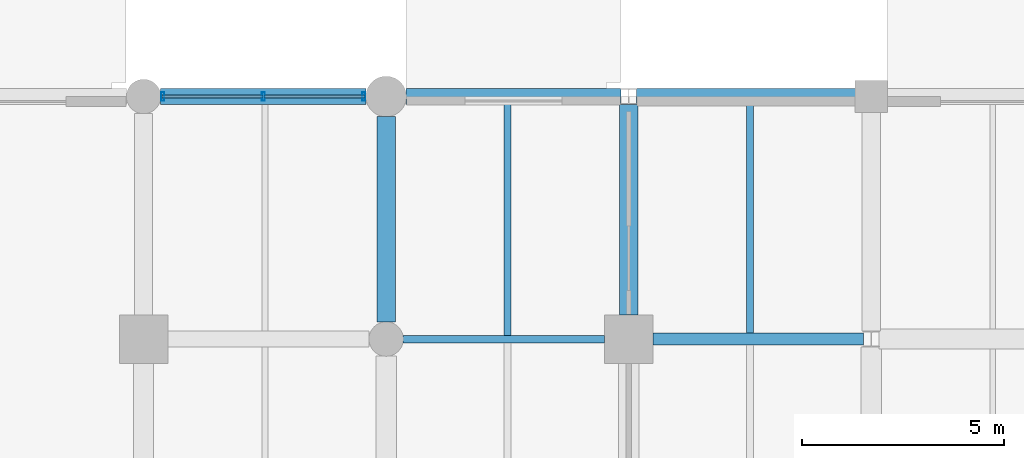
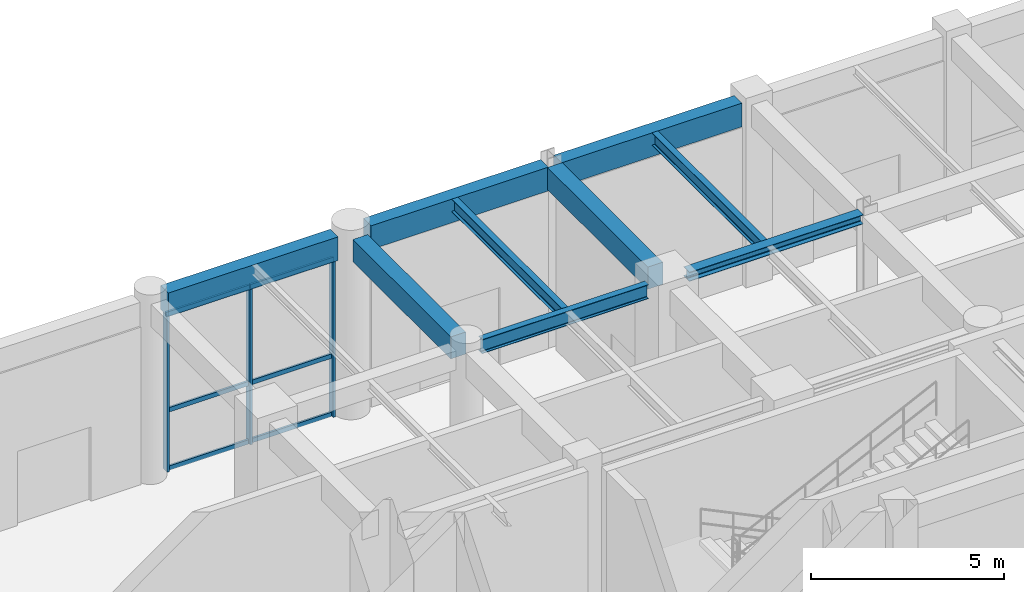
# One storey, part 49 of 106: 9 beams, 9 members, 1 element without a shape of its own.
"""IFC4 building model written with IfcOpenShell, lengths in metres."""

from ifc_helpers import new_model, si_unit, direction, frame, origin, origin_2d, place, context, subcontext, project, spatial, rectangle, hollow_rectangle, i_section, extrude, material, material_profile, profile_set, type_object, element, aggregate, save


model = new_model("IFC4")

# Units and contexts
model_context = context("Model", 3, precision=1e-05, world=origin(), true_north=direction((0.0, 1.0)))
body_context = subcontext(model_context, "Body", "Model", "MODEL_VIEW")
ifc_project = project(units=[si_unit("LENGTHUNIT", "METRE"), si_unit("AREAUNIT", "SQUARE_METRE"), si_unit("VOLUMEUNIT", "CUBIC_METRE"), si_unit("PLANEANGLEUNIT", "RADIAN"), si_unit("MASSUNIT", "GRAM", prefix="KILO"), si_unit("THERMODYNAMICTEMPERATUREUNIT", "KELVIN"), si_unit("POWERUNIT", "WATT")], contexts=[model_context])

# Site, building, storey
site_placement = place(None, origin())
site = spatial("IfcSite", under=ifc_project, at=site_placement, CompositionType="ELEMENT")
building_placement = place(site_placement, origin())
building = spatial("IfcBuilding", under=site, at=building_placement, Name="Phaisarnlok Congress Hotel", CompositionType="ELEMENT")
storey_placement = place(building_placement, origin())
storey = spatial("IfcBuildingStorey", under=building, at=storey_placement, Name="L00", CompositionType="ELEMENT", Elevation=0.0)

# Beams
ifc_material_1 = material(Name="Concrete C40/50", Category="concrete")
ifc_material_profile_1 = material_profile(ifc_material_1, rectangle(XDim=0.449951171875, YDim=0.699951171875, at=origin_2d()), Name="RC 450x700")
ifc_profile_set_1 = profile_set([ifc_material_profile_1], Name="Concrete C40/50")
beam_type_1 = type_object("IfcBeamType", Name="BM-RC-450x700", PredefinedType="BEAM", material=ifc_profile_set_1)
beam_1_placement = place(storey_placement, frame((102.0, 120.419921875, 5.389892578125), z_axis=(0.0, 1.0, 0.0), x_axis=(-1.0, 0.0, 0.0)))
element("IfcBeam", 1, at=beam_1_placement, inside=storey, type_object=beam_type_1, Name="Beam B-03", PredefinedType="BEAM", context=body_context, shape_type="SweptSolid", body=[
    extrude(rectangle(XDim=0.449951171875, YDim=0.699951171875, at=origin_2d()), origin(), (0.0, 0.0, 1.0), 5.0849609375),
])
beam_2_placement = place(storey_placement, frame((108.0, 120.594970703125, 5.389892578125), z_axis=(0.0, 1.0, 0.0), x_axis=(-1.0, 0.0, 0.0)))
element("IfcBeam", 2, at=beam_2_placement, inside=storey, type_object=beam_type_1, Name="Beam B-03", PredefinedType="BEAM", context=body_context, shape_type="SweptSolid", body=[
    extrude(rectangle(XDim=0.449951171875, YDim=0.699951171875, at=origin_2d()), origin(), (0.0, 0.0, 1.0), 5.21044921875),
])
ifc_material_2 = material(Name="Steel S355", Category="steel")
ifc_material_profile_2 = material_profile(ifc_material_2, i_section(OverallWidth=0.300048828125, OverallDepth=0.2900390625, WebThickness=0.008544921875, FlangeThickness=0.013916015625, FilletRadius=0.027099609375, at=origin_2d()), Name="HEA 300")
ifc_profile_set_2 = profile_set([ifc_material_profile_2], Name="Steel S355")
beam_type_2 = type_object("IfcBeamType", Name="BM-STL-HEA300", PredefinedType="BEAM", material=ifc_profile_set_2)
beam_3_placement = place(storey_placement, frame((108.594970703125, 120.0, 5.594970703125), z_axis=(1.0, 0.0, 0.0), x_axis=(0.0, 1.0, 0.0)))
element("IfcBeam", 3, at=beam_3_placement, inside=storey, type_object=beam_type_2, Name="Beam SB-05", PredefinedType="BEAM", context=body_context, shape_type="SweptSolid", body=[
    extrude(i_section(OverallWidth=0.300048828125, OverallDepth=0.2900390625, WebThickness=0.008544921875, FlangeThickness=0.013916015625, FilletRadius=0.027099609375, at=origin_2d()), origin(), (0.0, 0.0, 1.0), 5.20947265625),
])
ifc_material_profile_3 = material_profile(ifc_material_2, i_section(OverallWidth=0.18994140625, OverallDepth=0.449951171875, WebThickness=0.009521484375, FlangeThickness=0.0146484375, FilletRadius=0.02099609375, at=origin_2d()), Name="IPE 450")
ifc_profile_set_3 = profile_set([ifc_material_profile_3], Name="Steel S355")
beam_type_3 = type_object("IfcBeamType", Name="BM-STL-IPE450", PredefinedType="BEAM", material=ifc_profile_set_3)
beam_4_placement = place(storey_placement, frame((102.419921875, 120.0, 5.514892578125), z_axis=(1.0, 0.0, 0.0), x_axis=(0.0, 1.0, 0.0)))
element("IfcBeam", 4, at=beam_4_placement, inside=storey, type_object=beam_type_3, Name="Beam SB-01", PredefinedType="BEAM", context=body_context, shape_type="SweptSolid", body=[
    extrude(i_section(OverallWidth=0.18994140625, OverallDepth=0.449951171875, WebThickness=0.009521484375, FlangeThickness=0.0146484375, FilletRadius=0.02099609375, at=origin_2d()), origin(), (0.0, 0.0, 1.0), 4.985107421875),
])

# Curtain wall, members
ifc_material_3 = material(Name="Thermally Broken Unitised Aluminium & Low-E Glazing", Category="aluminium")
curtain_wall_type = type_object("IfcCurtainWallType", Name="CW-UNIT-01", PredefinedType="NOTDEFINED", material=ifc_material_3)
curtain_wall_placement = place(storey_placement, origin())
curtain_wall = element("IfcCurtainWall", 5, at=curtain_wall_placement, inside=storey, type_object=curtain_wall_type, Name="Unitised curtain wall CW-01 (L00)", PredefinedType="NOTDEFINED")
ifc_material_4 = material(Name="Anodised Aluminium Alloy 6063-T6", Category="aluminium")
ifc_material_profile_4 = material_profile(ifc_material_4, hollow_rectangle(XDim=0.074951171875, YDim=0.219970703125, WallThickness=0.0048828125, at=origin_2d()), Name="ALU-M 75x220x5")
ifc_profile_set_4 = profile_set([ifc_material_profile_4], Name="Anodised Aluminium Alloy 6063-T6")
member_type_1 = type_object("IfcMemberType", Name="CWM-220", PredefinedType="MULLION", material=ifc_profile_set_4)
member_1_placement = place(storey_placement, frame((101.449951171875, 126.0, 0.0), z_axis=(0.0, 0.0, 1.0), x_axis=(-1.0, 0.0, 0.0)))
member_1 = element("IfcMember", 6, at=member_1_placement, type_object=member_type_1, Name="Curtain wall mullion CWM-02", PredefinedType="MULLION", context=body_context, shape_type="SweptSolid", body=[
    extrude(hollow_rectangle(XDim=0.074951171875, YDim=0.219970703125, WallThickness=0.0048828125, at=origin_2d()), origin(), (0.0, 0.0, 1.0), 4.989990234375),
])
member_2_placement = place(storey_placement, frame((98.96240234375, 126.0, 0.0), z_axis=(0.0, 0.0, 1.0), x_axis=(-1.0, 0.0, 0.0)))
member_2 = element("IfcMember", 7, at=member_2_placement, type_object=member_type_1, Name="Curtain wall mullion CWM-02", PredefinedType="MULLION", context=body_context, shape_type="SweptSolid", body=[
    extrude(hollow_rectangle(XDim=0.074951171875, YDim=0.219970703125, WallThickness=0.0048828125, at=origin_2d()), origin(), (0.0, 0.0, 1.0), 4.989990234375),
])
member_3_placement = place(storey_placement, frame((96.47509765625, 126.0, 0.0), z_axis=(0.0, 0.0, 1.0), x_axis=(-1.0, 0.0, 0.0)))
member_3 = element("IfcMember", 8, at=member_3_placement, type_object=member_type_1, Name="Curtain wall mullion CWM-02", PredefinedType="MULLION", context=body_context, shape_type="SweptSolid", body=[
    extrude(hollow_rectangle(XDim=0.074951171875, YDim=0.219970703125, WallThickness=0.0048828125, at=origin_2d()), origin(), (0.0, 0.0, 1.0), 4.989990234375),
])
ifc_material_profile_5 = material_profile(ifc_material_4, hollow_rectangle(XDim=0.06494140625, YDim=0.139892578125, WallThickness=0.00390625, at=origin_2d()), Name="ALU-T 65x140x4")
ifc_profile_set_5 = profile_set([ifc_material_profile_5], Name="Anodised Aluminium Alloy 6063-T6")
member_type_2 = type_object("IfcMemberType", Name="CWT-150", PredefinedType="USERDEFINED", material=ifc_profile_set_5)
member_4_placement = place(storey_placement, frame((101.47509765625, 126.0, 0.050048828125), z_axis=(-1.0, 0.0, 0.0), x_axis=(0.0, -1.0, 0.0)))
member_4 = element("IfcMember", 9, at=member_4_placement, type_object=member_type_2, Name="Curtain wall transom CWT-01", ObjectType="TRANSOM", PredefinedType="USERDEFINED", context=body_context, shape_type="SweptSolid", body=[
    extrude(hollow_rectangle(XDim=0.06494140625, YDim=0.139892578125, WallThickness=0.00390625, at=origin_2d()), origin(), (0.0, 0.0, 1.0), 2.49755859375),
])
member_5_placement = place(storey_placement, frame((101.47509765625, 126.0, 1.896240234375), z_axis=(-1.0, 0.0, 0.0), x_axis=(0.0, -1.0, 0.0)))
member_5 = element("IfcMember", 10, at=member_5_placement, type_object=member_type_2, Name="Curtain wall transom CWT-01", ObjectType="TRANSOM", PredefinedType="USERDEFINED", context=body_context, shape_type="SweptSolid", body=[
    extrude(hollow_rectangle(XDim=0.06494140625, YDim=0.139892578125, WallThickness=0.00390625, at=origin_2d()), origin(), (0.0, 0.0, 1.0), 2.49755859375),
])
member_6_placement = place(storey_placement, frame((101.47509765625, 126.0, 4.93994140625), z_axis=(-1.0, 0.0, 0.0), x_axis=(0.0, -1.0, 0.0)))
member_6 = element("IfcMember", 11, at=member_6_placement, type_object=member_type_2, Name="Curtain wall transom CWT-01", ObjectType="TRANSOM", PredefinedType="USERDEFINED", context=body_context, shape_type="SweptSolid", body=[
    extrude(hollow_rectangle(XDim=0.06494140625, YDim=0.139892578125, WallThickness=0.00390625, at=origin_2d()), origin(), (0.0, 0.0, 1.0), 2.49755859375),
])
member_7_placement = place(storey_placement, frame((98.947509765625, 126.0, 0.050048828125), z_axis=(-1.0, 0.0, 0.0), x_axis=(0.0, -1.0, 0.0)))
member_7 = element("IfcMember", 12, at=member_7_placement, type_object=member_type_2, Name="Curtain wall transom CWT-01", ObjectType="TRANSOM", PredefinedType="USERDEFINED", context=body_context, shape_type="SweptSolid", body=[
    extrude(hollow_rectangle(XDim=0.06494140625, YDim=0.139892578125, WallThickness=0.00390625, at=origin_2d()), origin(), (0.0, 0.0, 1.0), 2.49755859375),
])
member_8_placement = place(storey_placement, frame((98.947509765625, 126.0, 1.896240234375), z_axis=(-1.0, 0.0, 0.0), x_axis=(0.0, -1.0, 0.0)))
member_8 = element("IfcMember", 13, at=member_8_placement, type_object=member_type_2, Name="Curtain wall transom CWT-01", ObjectType="TRANSOM", PredefinedType="USERDEFINED", context=body_context, shape_type="SweptSolid", body=[
    extrude(hollow_rectangle(XDim=0.06494140625, YDim=0.139892578125, WallThickness=0.00390625, at=origin_2d()), origin(), (0.0, 0.0, 1.0), 2.49755859375),
])
member_9_placement = place(storey_placement, frame((98.947509765625, 126.0, 4.93994140625), z_axis=(-1.0, 0.0, 0.0), x_axis=(0.0, -1.0, 0.0)))
member_9 = element("IfcMember", 14, at=member_9_placement, type_object=member_type_2, Name="Curtain wall transom CWT-01", ObjectType="TRANSOM", PredefinedType="USERDEFINED", context=body_context, shape_type="SweptSolid", body=[
    extrude(hollow_rectangle(XDim=0.06494140625, YDim=0.139892578125, WallThickness=0.00390625, at=origin_2d()), origin(), (0.0, 0.0, 1.0), 2.49755859375),
])
aggregate(curtain_wall, [member_1, member_2, member_3, member_4, member_5, member_6, member_7, member_8, member_9])

# Beams
ifc_material_profile_6 = material_profile(ifc_material_2, i_section(OverallWidth=0.179931640625, OverallDepth=0.39990234375, WebThickness=0.008544921875, FlangeThickness=0.013427734375, FilletRadius=0.02099609375, at=origin_2d()), Name="IPE 400")
ifc_profile_set_6 = profile_set([ifc_material_profile_6], Name="Steel S355")
beam_type_4 = type_object("IfcBeamType", Name="JS-STL-IPE400", PredefinedType="JOIST", material=ifc_profile_set_6)
beam_5_placement = place(storey_placement, frame((105.0, 120.090087890625, 5.5400390625), z_axis=(0.0, 1.0, 0.0), x_axis=(-1.0, 0.0, 0.0)))
element("IfcBeam", 15, at=beam_5_placement, inside=storey, type_object=beam_type_4, Name="Secondary floor joist J-05", PredefinedType="JOIST", context=body_context, shape_type="SweptSolid", body=[
    extrude(i_section(OverallWidth=0.179931640625, OverallDepth=0.39990234375, WebThickness=0.008544921875, FlangeThickness=0.013427734375, FilletRadius=0.02099609375, at=origin_2d()), origin(), (0.0, 0.0, 1.0), 5.71484375),
])
beam_6_placement = place(storey_placement, frame((111.0, 120.14501953125, 5.5400390625), z_axis=(0.0, 1.0, 0.0), x_axis=(-1.0, 0.0, 0.0)))
element("IfcBeam", 16, at=beam_6_placement, inside=storey, type_object=beam_type_4, Name="Secondary floor joist J-05", PredefinedType="JOIST", context=body_context, shape_type="SweptSolid", body=[
    extrude(i_section(OverallWidth=0.179931640625, OverallDepth=0.39990234375, WebThickness=0.008544921875, FlangeThickness=0.013427734375, FilletRadius=0.02099609375, at=origin_2d()), origin(), (0.0, 0.0, 1.0), 5.659912109375),
])
ifc_material_profile_7 = material_profile(ifc_material_1, rectangle(XDim=0.39990234375, YDim=0.75, at=origin_2d()), Name="RC 400x750")
ifc_profile_set_7 = profile_set([ifc_material_profile_7], Name="Concrete C40/50")
beam_type_5 = type_object("IfcBeamType", Name="SP-RC-400x750", PredefinedType="SPANDREL", material=ifc_profile_set_7)
beam_7_placement = place(storey_placement, frame((96.419921875, 126.0, 5.364990234375), z_axis=(1.0, 0.0, 0.0), x_axis=(0.0, 1.0, 0.0)))
element("IfcBeam", 17, at=beam_7_placement, inside=storey, type_object=beam_type_5, Name="Beam SP-02", PredefinedType="SPANDREL", context=body_context, shape_type="SweptSolid", body=[
    extrude(rectangle(XDim=0.39990234375, YDim=0.75, at=origin_2d()), origin(), (0.0, 0.0, 1.0), 5.0849609375),
])
beam_8_placement = place(storey_placement, frame((102.4951171875, 126.0, 5.364990234375), z_axis=(1.0, 0.0, 0.0), x_axis=(0.0, 1.0, 0.0)))
element("IfcBeam", 18, at=beam_8_placement, inside=storey, type_object=beam_type_5, Name="Beam SP-02", PredefinedType="SPANDREL", context=body_context, shape_type="SweptSolid", body=[
    extrude(rectangle(XDim=0.39990234375, YDim=0.75, at=origin_2d()), origin(), (0.0, 0.0, 1.0), 5.309326171875),
])
beam_9_placement = place(storey_placement, frame((108.195556640625, 126.0, 5.364990234375), z_axis=(1.0, 0.0, 0.0), x_axis=(0.0, 1.0, 0.0)))
element("IfcBeam", 19, at=beam_9_placement, inside=storey, type_object=beam_type_5, Name="Beam SP-02", PredefinedType="SPANDREL", context=body_context, shape_type="SweptSolid", body=[
    extrude(rectangle(XDim=0.39990234375, YDim=0.75, at=origin_2d()), origin(), (0.0, 0.0, 1.0), 5.409423828125),
])

save(model, "model.ifc")
